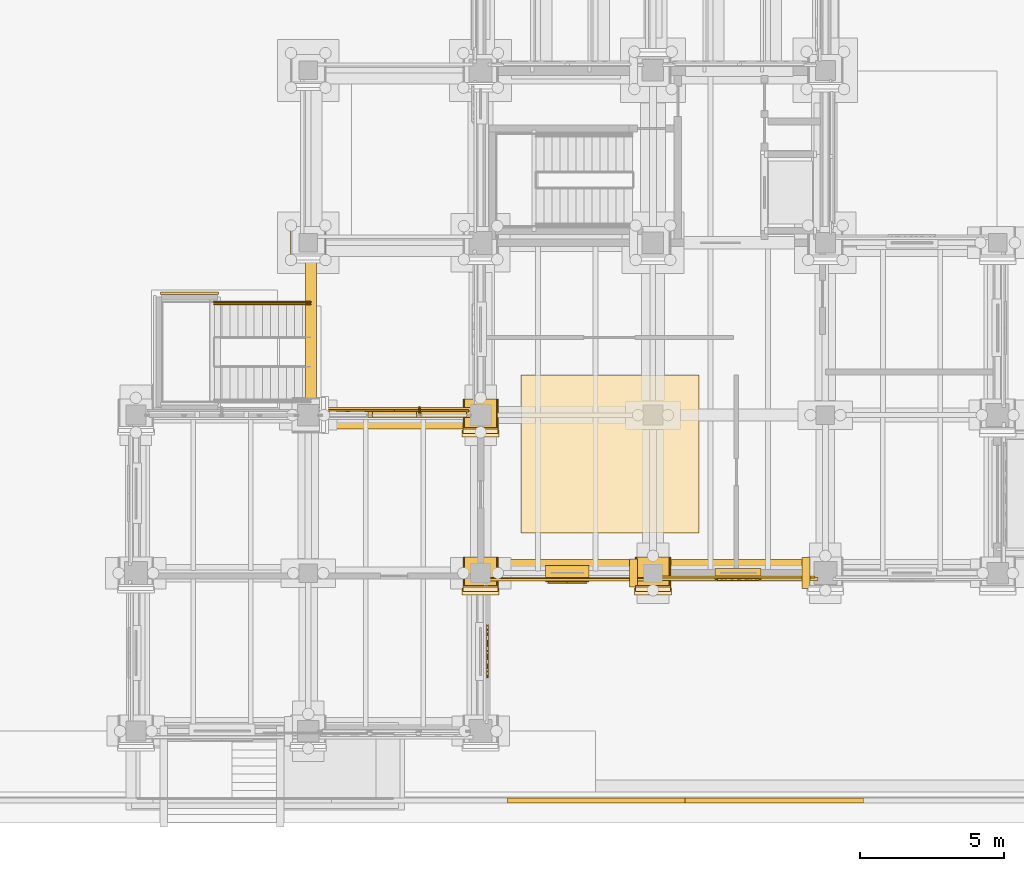
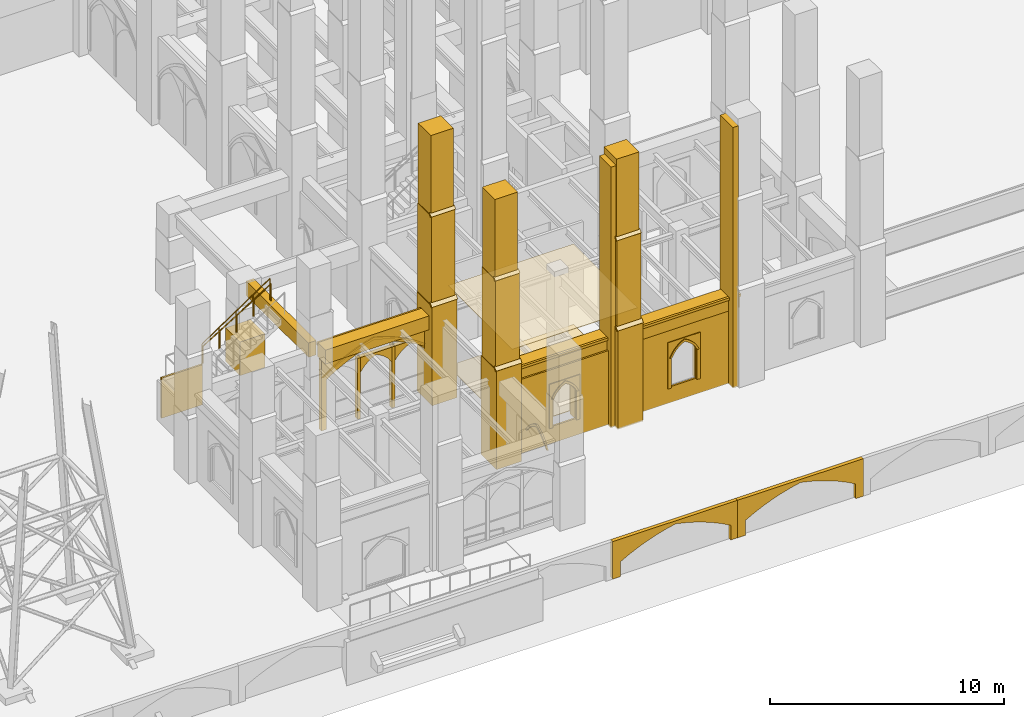
# One storey, part 105 of 135: 43 coverings, 2 railings, 1 shading device.
"""IFC4 building model written with IfcOpenShell, lengths in metres."""

from ifc_helpers import new_model, si_unit, direction, frame, origin, origin_2d, place, context, subcontext, project, spatial, polyline, rectangle, circle, outline, extrude, material, type_object, element, save


model = new_model("IFC4")

# Units and contexts
model_context = context("Model", 3, precision=1e-05, world=origin(), true_north=direction((0.0, 1.0)))
body_context = subcontext(model_context, "Body", "Model", "MODEL_VIEW")
ifc_project = project(units=[si_unit("LENGTHUNIT", "METRE"), si_unit("AREAUNIT", "SQUARE_METRE"), si_unit("VOLUMEUNIT", "CUBIC_METRE"), si_unit("PLANEANGLEUNIT", "RADIAN"), si_unit("MASSUNIT", "GRAM", prefix="KILO")], contexts=[model_context])

# Site, building, storey
site_placement = place(None, origin())
site = spatial("IfcSite", under=ifc_project, at=site_placement, CompositionType="ELEMENT")
building_placement = place(site_placement, origin())
building = spatial("IfcBuilding", under=site, at=building_placement, Name="Cumevento Cable Car Station", CompositionType="ELEMENT")
storey_placement = place(building_placement, origin())
storey = spatial("IfcBuildingStorey", under=building, at=storey_placement, Name="L01", CompositionType="ELEMENT", Elevation=0.0)

# Railings
ifc_material_1 = material(Name="Painted Galvanised Architectural Steel", Category="steel")
railing_type_1 = type_object("IfcRailingType", Name="Stair Guardrail GR-S115", PredefinedType="GUARDRAIL", material=ifc_material_1)
railing_1_placement = place(storey_placement, frame((108.719970703125, 18.93994140625, 2.25)))
element("IfcRailing", 1, at=railing_1_placement, inside=storey, type_object=railing_type_1, Name="Stair Outer Guardrail ST-15 F2", PredefinedType="GUARDRAIL", context=body_context, shape_type="SweptSolid", body=[
    extrude(circle(Radius=0.02392578125, at=origin_2d()), frame((0.0, 0.0, 1.1259765625), z_axis=(0.830915400975, 0.0, 0.556398774641), x_axis=(0.0, 1.0, 0.0)), (0.0, 0.0, 1.0), 4.0439453125),
    extrude(circle(Radius=0.02001953125, at=origin_2d()), origin(), (0.0, 0.0, 1.0), 1.101806640625),
    extrude(circle(Radius=0.02001953125, at=origin_2d()), frame((0.840087890625, 0.0, 0.5625)), (0.0, 0.0, 1.0), 1.101806640625),
    extrude(circle(Radius=0.02001953125, at=origin_2d()), frame((1.68017578125, 0.0, 1.125)), (0.0, 0.0, 1.0), 1.101806640625),
    extrude(circle(Radius=0.02001953125, at=origin_2d()), frame((2.52001953125, 0.0, 1.6875)), (0.0, 0.0, 1.0), 1.101806640625),
    extrude(circle(Radius=0.02001953125, at=origin_2d()), frame((3.360107421875, 0.0, 2.25)), (0.0, 0.0, 1.0), 1.101806640625),
])
ifc_material_2 = material(Name="Brushed Stainless Steel Handrail Tube", Category="steel")
railing_type_2 = type_object("IfcRailingType", Name="Stair Handrail HR-090", PredefinedType="HANDRAIL", material=ifc_material_2)
railing_2_placement = place(storey_placement, frame((108.719970703125, 18.860107421875, 2.42626953125)))
element("IfcRailing", 2, at=railing_2_placement, inside=storey, type_object=railing_type_2, Name="Stair Pitch Handrail ST-15 F2", PredefinedType="HANDRAIL", context=body_context, shape_type="SweptSolid", body=[
    extrude(circle(Radius=0.02099609375, at=origin_2d()), frame((0.0, 0.0, 0.87890625), z_axis=(0.850623216509, 0.0, 0.525775754039), x_axis=(0.0, 1.0, 0.0)), (0.0, 0.0, 1.0), 3.9501953125),
    extrude(circle(Radius=0.01611328125, at=origin_2d()), origin(), (0.0, 0.0, 1.0), 0.85791015625),
    extrude(circle(Radius=0.01611328125, at=origin_2d()), frame((0.840087890625, 0.0, 0.519287109375)), (0.0, 0.0, 1.0), 0.85791015625),
    extrude(circle(Radius=0.01611328125, at=origin_2d()), frame((1.68017578125, 0.0, 1.03857421875)), (0.0, 0.0, 1.0), 0.85791015625),
    extrude(circle(Radius=0.01611328125, at=origin_2d()), frame((2.52001953125, 0.0, 1.5576171875)), (0.0, 0.0, 1.0), 0.85791015625),
    extrude(circle(Radius=0.01611328125, at=origin_2d()), frame((3.360107421875, 0.0, 2.076904296875)), (0.0, 0.0, 1.0), 0.85791015625),
])

# Coverings
ifc_material_3 = material(Name="Perforated Brazilian Ipe Timber Ceiling", Category="wood")
covering_type_1 = type_object("IfcCoveringType", Name="Acoustic Timber Ceiling CV-CE01", PredefinedType="CEILING", material=ifc_material_3)
covering_1_placement = place(storey_placement, frame((0.0, 0.0, 4.199951171875)))
element("IfcCovering", 3, at=covering_1_placement, inside=storey, type_object=covering_type_1, Name="Acoustic Timber Soffit Ceiling #2", PredefinedType="CEILING", context=body_context, shape_type="SweptSolid", body=[
    extrude(outline(polyline([(119.39990234375, 10.89990234375), (125.60009765625, 10.89990234375), (125.60009765625, 16.39990234375), (119.39990234375, 16.39990234375), (119.39990234375, 10.89990234375)])), origin(), (0.0, 0.0, 1.0), 0.028076171875),
])
ifc_material_4 = material(Name="Polished Carioca Granite Terrazzo Tile", Category="masonry")
covering_type_2 = type_object("IfcCoveringType", Name="Carioca Granite Flooring CV-FL01", PredefinedType="FLOORING", material=ifc_material_4)
covering_2_placement = place(storey_placement, origin())
element("IfcCovering", 4, at=covering_2_placement, inside=storey, type_object=covering_type_2, Name="Granite Terrazzo Floor Finish #2", PredefinedType="FLOORING", context=body_context, shape_type="SweptSolid", body=[
    extrude(outline(polyline([(119.39990234375, 10.89990234375), (125.60009765625, 10.89990234375), (125.60009765625, 16.39990234375), (119.39990234375, 16.39990234375), (119.39990234375, 10.89990234375)])), origin(), (0.0, 0.0, 1.0), 0.02197265625),
])

# Shading device
ifc_material_5 = material(Name="Anodised Bronze Aluminium AW-6063-T6", Category="aluminium")
shading_device_type = type_object("IfcShadingDeviceType", Name="Bronze Lancet Brise-Soleil BS-01", PredefinedType="JALOUSIE", material=ifc_material_5)
shading_device_placement = place(storey_placement, frame((115.875, 15.179931640625, 0.41015625), z_axis=(0.0, 0.0, 1.0), x_axis=(1.0, 0.0, 0.0)))
element("IfcShadingDevice", 5, at=shading_device_placement, inside=storey, type_object=shading_device_type, Name="Bronze Lancet Solar Fin #8", PredefinedType="JALOUSIE", context=body_context, shape_type="SweptSolid", body=[
    extrude(rectangle(XDim=0.054931640625, YDim=0.239990234375, at=origin_2d()), origin(), (0.0, 0.0, 1.0), 3.410888671875),
])

# Coverings
ifc_material_6 = material(Name="Gnaisse Facoidal Stone Ashlar 85 MPa", Category="masonry")
covering_type_3 = type_object("IfcCoveringType", Name="Gnaisse Ashlar Cladding CV-CL01", PredefinedType="CLADDING", material=ifc_material_6)
covering_3_placement = place(storey_placement, frame((112.0, 20.93994140625, -0.06005859375), z_axis=(0.0, 0.0, 1.0), x_axis=(1.0, 0.0, 0.0)))
element("IfcCovering", 6, at=covering_3_placement, inside=storey, type_object=covering_type_3, Name="Stepped Gothic Stone Buttress Tier 1 bt:112.0:21.0", PredefinedType="CLADDING", context=body_context, shape_type="SweptSolid", body=[
    extrude(rectangle(XDim=1.239990234375, YDim=1.239990234375, at=origin_2d()), origin(), (0.0, 0.0, 1.0), 1.755615234375),
])
covering_4_placement = place(storey_placement, frame((118.0, 9.409912109375, -0.06005859375), z_axis=(0.0, 0.0, 1.0), x_axis=(1.0, 0.0, 0.0)))
element("IfcCovering", 7, at=covering_4_placement, inside=storey, type_object=covering_type_3, Name="Stepped Gothic Stone Buttress Tier 1 bt:118.0:9.5", PredefinedType="CLADDING", context=body_context, shape_type="SweptSolid", body=[
    extrude(rectangle(XDim=1.239990234375, YDim=1.300048828125, at=origin_2d()), origin(), (0.0, 0.0, 1.0), 5.175537109375),
])
covering_5_placement = place(storey_placement, frame((117.360107421875, 8.739990234375, 5.095703125), z_axis=(0.0, -0.711135781079, 0.703054692658), x_axis=(1.0, 0.0, 0.0)))
element("IfcCovering", 8, at=covering_5_placement, inside=storey, type_object=covering_type_3, Name="Gothic Buttress Sloped Stone Weathering 1 bt:118.0:9.5", PredefinedType="CLADDING", context=body_context, shape_type="SweptSolid", body=[
    extrude(outline(polyline([(0.0, 0.0), (1.27978515625, 0.0), (1.27978515625, 0.24169083397703695), (0.0, 0.24169083397703695), (0.0, 0.0)])), origin(), (0.0, 0.0, -1.0), 0.090087890625),
])
covering_6_placement = place(storey_placement, frame((118.0, 9.469970703125, 4.84326171875), z_axis=(0.0, 0.0, 1.0), x_axis=(1.0, 0.0, 0.0)))
element("IfcCovering", 9, at=covering_6_placement, inside=storey, type_object=covering_type_3, Name="Stepped Gothic Stone Buttress Tier 2 bt:118.0:9.5", PredefinedType="CLADDING", context=body_context, shape_type="SweptSolid", body=[
    extrude(rectangle(XDim=1.179931640625, YDim=1.179931640625, at=origin_2d()), origin(), (0.0, 0.0, 1.0), 4.9033203125),
])
covering_7_placement = place(storey_placement, frame((117.389892578125, 8.860107421875, 9.726318359375), z_axis=(0.0, -0.714474823669, 0.699661151089), x_axis=(1.0, 0.0, 0.0)))
element("IfcCovering", 10, at=covering_7_placement, inside=storey, type_object=covering_type_3, Name="Gothic Buttress Sloped Stone Weathering 2 bt:118.0:9.5", PredefinedType="CLADDING", context=body_context, shape_type="SweptSolid", body=[
    extrude(outline(polyline([(0.0, 0.0), (1.22021484375, 0.0), (1.22021484375, 0.21424991728737655), (0.0, 0.21424991728737655), (0.0, 0.0)])), origin(), (0.0, 0.0, -1.0), 0.090087890625),
])
covering_8_placement = place(storey_placement, frame((118.0, 9.52001953125, 9.47412109375), z_axis=(0.0, 0.0, 1.0), x_axis=(1.0, 0.0, 0.0)))
element("IfcCovering", 11, at=covering_8_placement, inside=storey, type_object=covering_type_3, Name="Stepped Gothic Stone Buttress Tier 3 bt:118.0:9.5", PredefinedType="CLADDING", context=body_context, shape_type="SweptSolid", body=[
    extrude(rectangle(XDim=1.1201171875, YDim=1.080078125, at=origin_2d()), origin(), (0.0, 0.0, 1.0), 4.426025390625),
])
covering_9_placement = place(storey_placement, frame((118.0, 14.909912109375, -0.06005859375), z_axis=(0.0, 0.0, 1.0), x_axis=(1.0, 0.0, 0.0)))
element("IfcCovering", 12, at=covering_9_placement, inside=storey, type_object=covering_type_3, Name="Stepped Gothic Stone Buttress Tier 1 bt:118.0:15.0", PredefinedType="CLADDING", context=body_context, shape_type="SweptSolid", body=[
    extrude(rectangle(XDim=1.239990234375, YDim=1.300048828125, at=origin_2d()), origin(), (0.0, 0.0, 1.0), 5.175537109375),
])
covering_10_placement = place(storey_placement, frame((117.360107421875, 14.239990234375, 5.095703125), z_axis=(0.0, -0.711135781079, 0.703054692658), x_axis=(1.0, 0.0, 0.0)))
element("IfcCovering", 13, at=covering_10_placement, inside=storey, type_object=covering_type_3, Name="Gothic Buttress Sloped Stone Weathering 1 bt:118.0:15.0", PredefinedType="CLADDING", context=body_context, shape_type="SweptSolid", body=[
    extrude(outline(polyline([(0.0, 0.0), (1.27978515625, 0.0), (1.27978515625, 0.24169083397703695), (0.0, 0.24169083397703695), (0.0, 0.0)])), origin(), (0.0, 0.0, -1.0), 0.090087890625),
])
covering_11_placement = place(storey_placement, frame((118.0, 14.969970703125, 4.84326171875), z_axis=(0.0, 0.0, 1.0), x_axis=(1.0, 0.0, 0.0)))
element("IfcCovering", 14, at=covering_11_placement, inside=storey, type_object=covering_type_3, Name="Stepped Gothic Stone Buttress Tier 2 bt:118.0:15.0", PredefinedType="CLADDING", context=body_context, shape_type="SweptSolid", body=[
    extrude(rectangle(XDim=1.179931640625, YDim=1.179931640625, at=origin_2d()), origin(), (0.0, 0.0, 1.0), 4.9033203125),
])
covering_12_placement = place(storey_placement, frame((117.389892578125, 14.360107421875, 9.726318359375), z_axis=(0.0, -0.714474823669, 0.699661151089), x_axis=(1.0, 0.0, 0.0)))
element("IfcCovering", 15, at=covering_12_placement, inside=storey, type_object=covering_type_3, Name="Gothic Buttress Sloped Stone Weathering 2 bt:118.0:15.0", PredefinedType="CLADDING", context=body_context, shape_type="SweptSolid", body=[
    extrude(outline(polyline([(0.0, 0.0), (1.22021484375, 0.0), (1.22021484375, 0.21424991728737655), (0.0, 0.21424991728737655), (0.0, 0.0)])), origin(), (0.0, 0.0, -1.0), 0.090087890625),
])
covering_13_placement = place(storey_placement, frame((118.0, 15.02001953125, 9.47412109375), z_axis=(0.0, 0.0, 1.0), x_axis=(1.0, 0.0, 0.0)))
element("IfcCovering", 16, at=covering_13_placement, inside=storey, type_object=covering_type_3, Name="Stepped Gothic Stone Buttress Tier 3 bt:118.0:15.0", PredefinedType="CLADDING", context=body_context, shape_type="SweptSolid", body=[
    extrude(rectangle(XDim=1.1201171875, YDim=1.080078125, at=origin_2d()), origin(), (0.0, 0.0, 1.0), 4.426025390625),
])
covering_14_placement = place(storey_placement, frame((124.0, 9.409912109375, -0.06005859375), z_axis=(0.0, 0.0, 1.0), x_axis=(1.0, 0.0, 0.0)))
element("IfcCovering", 17, at=covering_14_placement, inside=storey, type_object=covering_type_3, Name="Stepped Gothic Stone Buttress Tier 1 bt:124.0:9.5", PredefinedType="CLADDING", context=body_context, shape_type="SweptSolid", body=[
    extrude(rectangle(XDim=1.239990234375, YDim=1.300048828125, at=origin_2d()), origin(), (0.0, 0.0, 1.0), 5.175537109375),
])
covering_15_placement = place(storey_placement, frame((123.360107421875, 8.739990234375, 5.095703125), z_axis=(0.0, -0.711135781079, 0.703054692658), x_axis=(1.0, 0.0, 0.0)))
element("IfcCovering", 18, at=covering_15_placement, inside=storey, type_object=covering_type_3, Name="Gothic Buttress Sloped Stone Weathering 1 bt:124.0:9.5", PredefinedType="CLADDING", context=body_context, shape_type="SweptSolid", body=[
    extrude(outline(polyline([(0.0, 0.0), (1.27978515625, 0.0), (1.27978515625, 0.24169083397703695), (0.0, 0.24169083397703695), (0.0, 0.0)])), origin(), (0.0, 0.0, -1.0), 0.090087890625),
])
covering_16_placement = place(storey_placement, frame((124.0, 9.469970703125, 4.84326171875), z_axis=(0.0, 0.0, 1.0), x_axis=(1.0, 0.0, 0.0)))
element("IfcCovering", 19, at=covering_16_placement, inside=storey, type_object=covering_type_3, Name="Stepped Gothic Stone Buttress Tier 2 bt:124.0:9.5", PredefinedType="CLADDING", context=body_context, shape_type="SweptSolid", body=[
    extrude(rectangle(XDim=1.179931640625, YDim=1.179931640625, at=origin_2d()), origin(), (0.0, 0.0, 1.0), 4.9033203125),
])
covering_17_placement = place(storey_placement, frame((123.389892578125, 8.860107421875, 9.726318359375), z_axis=(0.0, -0.714474823669, 0.699661151089), x_axis=(1.0, 0.0, 0.0)))
element("IfcCovering", 20, at=covering_17_placement, inside=storey, type_object=covering_type_3, Name="Gothic Buttress Sloped Stone Weathering 2 bt:124.0:9.5", PredefinedType="CLADDING", context=body_context, shape_type="SweptSolid", body=[
    extrude(outline(polyline([(0.0, 0.0), (1.22021484375, 0.0), (1.22021484375, 0.21424991728737655), (0.0, 0.21424991728737655), (0.0, 0.0)])), origin(), (0.0, 0.0, -1.0), 0.090087890625),
])
covering_18_placement = place(storey_placement, frame((124.0, 9.52001953125, 9.47412109375), z_axis=(0.0, 0.0, 1.0), x_axis=(1.0, 0.0, 0.0)))
element("IfcCovering", 21, at=covering_18_placement, inside=storey, type_object=covering_type_3, Name="Stepped Gothic Stone Buttress Tier 3 bt:124.0:9.5", PredefinedType="CLADDING", context=body_context, shape_type="SweptSolid", body=[
    extrude(rectangle(XDim=1.1201171875, YDim=1.080078125, at=origin_2d()), origin(), (0.0, 0.0, 1.0), 4.426025390625),
])
covering_19_placement = place(storey_placement, frame((123.320068359375, 9.5, -0.06005859375), z_axis=(0.0, 0.0, 1.0), x_axis=(1.0, 0.0, 0.0)))
element("IfcCovering", 22, at=covering_19_placement, inside=storey, type_object=covering_type_3, Name="Corner Buttress Stone Return (124.0,9.5)", PredefinedType="CLADDING", context=body_context, shape_type="SweptSolid", body=[
    extrude(rectangle(XDim=0.280029296875, YDim=0.97998046875, at=origin_2d()), origin(), (0.0, 0.0, 1.0), 13.6201171875),
])
covering_20_placement = place(storey_placement, frame((129.320068359375, 9.5, -0.06005859375), z_axis=(0.0, 0.0, 1.0), x_axis=(1.0, 0.0, 0.0)))
element("IfcCovering", 23, at=covering_20_placement, inside=storey, type_object=covering_type_3, Name="Corner Buttress Stone Return (130.0,9.5)", PredefinedType="CLADDING", context=body_context, shape_type="SweptSolid", body=[
    extrude(rectangle(XDim=0.280029296875, YDim=1.080078125, at=origin_2d()), origin(), (0.0, 0.0, 1.0), 13.6201171875),
])
covering_21_placement = place(storey_placement, frame((115.0, 14.85009765625, 3.76123046875), z_axis=(0.0, 0.0, 1.0), x_axis=(1.0, 0.0, 0.0)))
element("IfcCovering", 24, at=covering_21_placement, inside=storey, type_object=covering_type_3, Name="Gothic Stone Spandrel Stringcourse sc:0026", PredefinedType="CLADDING", context=body_context, shape_type="SweptSolid", body=[
    extrude(rectangle(XDim=5.489990234375, YDim=0.659912109375, at=origin_2d()), origin(), (0.0, 0.0, 1.0), 0.718994140625),
])
covering_22_placement = place(storey_placement, frame((115.0, 15.20751953125, 4.35009765625), z_axis=(0.0, 0.0, 1.0), x_axis=(1.0, 0.0, 0.0)))
element("IfcCovering", 25, at=covering_22_placement, inside=storey, type_object=covering_type_3, Name="Gothic Cornice Dripstone Lip sc:0026", PredefinedType="CLADDING", context=body_context, shape_type="SweptSolid", body=[
    extrude(rectangle(XDim=5.530029296875, YDim=0.114990234375, at=origin_2d()), origin(), (0.0, 0.0, 1.0), 0.1298828125),
])
covering_23_placement = place(storey_placement, frame((121.012451171875, 9.64990234375, 3.760986328125), z_axis=(0.0, 0.0, 1.0), x_axis=(-1.0, 0.0, 0.0)))
element("IfcCovering", 26, at=covering_23_placement, inside=storey, type_object=covering_type_3, Name="Gothic Stone Spandrel Stringcourse sc:0174", PredefinedType="CLADDING", context=body_context, shape_type="SweptSolid", body=[
    extrude(rectangle(XDim=5.56494140625, YDim=0.659912109375, at=origin_2d()), origin(), (0.0, 0.0, 1.0), 0.7470703125),
])
covering_24_placement = place(storey_placement, frame((121.012451171875, 9.29248046875, 4.378173828125), z_axis=(0.0, 0.0, 1.0), x_axis=(-1.0, 0.0, 0.0)))
element("IfcCovering", 27, at=covering_24_placement, inside=storey, type_object=covering_type_3, Name="Gothic Cornice Dripstone Lip sc:0174", PredefinedType="CLADDING", context=body_context, shape_type="SweptSolid", body=[
    extrude(rectangle(XDim=5.60498046875, YDim=0.114990234375, at=origin_2d()), origin(), (0.0, 0.0, 1.0), 0.1298828125),
])
covering_25_placement = place(storey_placement, frame((126.96240234375, 9.64990234375, 3.760986328125), z_axis=(0.0, 0.0, 1.0), x_axis=(-1.0, 0.0, 0.0)))
element("IfcCovering", 28, at=covering_25_placement, inside=storey, type_object=covering_type_3, Name="Gothic Stone Spandrel Stringcourse sc:0175", PredefinedType="CLADDING", context=body_context, shape_type="SweptSolid", body=[
    extrude(rectangle(XDim=5.514892578125, YDim=0.659912109375, at=origin_2d()), origin(), (0.0, 0.0, 1.0), 0.7470703125),
])
covering_26_placement = place(storey_placement, frame((126.96240234375, 9.29248046875, 4.378173828125), z_axis=(0.0, 0.0, 1.0), x_axis=(-1.0, 0.0, 0.0)))
element("IfcCovering", 29, at=covering_26_placement, inside=storey, type_object=covering_type_3, Name="Gothic Cornice Dripstone Lip sc:0175", PredefinedType="CLADDING", context=body_context, shape_type="SweptSolid", body=[
    extrude(rectangle(XDim=5.554931640625, YDim=0.114990234375, at=origin_2d()), origin(), (0.0, 0.0, 1.0), 0.1298828125),
])
covering_27_placement = place(storey_placement, frame((112.090087890625, 18.02490234375, 3.73291015625), z_axis=(0.0, 0.0, 1.0), x_axis=(0.0, 1.0, 0.0)))
element("IfcCovering", 30, at=covering_27_placement, inside=storey, type_object=covering_type_3, Name="Gothic Stone Spandrel Stringcourse sc:0838", PredefinedType="CLADDING", context=body_context, shape_type="SweptSolid", body=[
    extrude(rectangle(XDim=5.360107421875, YDim=0.3798828125, at=origin_2d()), origin(), (0.0, 0.0, 1.0), 0.7470703125),
])
placement = place(storey_placement, frame((112.375, 15.0, 0.0), z_axis=(0.0, 0.0, 1.0), x_axis=(1.0, 0.0, 0.0)))
element("IfcCovering", 31, at=placement, inside=storey, type_object=covering_type_3, Name="Gothic Ogival Pointed-Arch Stone Spandrel cw_ogival:0013", PredefinedType="CLADDING", context=body_context, shape_type="SweptSolid", body=[
    extrude(outline(polyline([(-0.080078125, 0.0), (-0.080078125, 3.90087890625), (5.330078125, 3.90087890625), (5.330078125, 0.0), (5.090087890625, 0.0), (5.090087890625, 2.593017578125), (4.80810546875, 2.78271484375), (4.51708984375, 2.958740234375), (4.218017578125, 3.120361328125), (3.911376953125, 3.26708984375), (3.59814453125, 3.39892578125), (3.27880859375, 3.515380859375), (2.9541015625, 3.6162109375), (2.625, 3.700927734375), (2.2958984375, 3.6162109375), (1.97119140625, 3.515380859375), (1.65185546875, 3.39892578125), (1.338623046875, 3.26708984375), (1.031982421875, 3.120361328125), (0.73291015625, 2.958740234375), (0.44189453125, 2.78271484375), (0.159912109375, 2.593017578125), (0.159912109375, 0.0), (-0.080078125, 0.0)])), frame((0.0, 0.139892578125, 0.0), z_axis=(0.0, -1.0, 0.0), x_axis=(1.0, 0.0, 0.0)), (0.0, 0.0, 1.0), 0.219970703125),
])
covering_29_placement = place(storey_placement, frame((112.375, 15.0, 2.593017578125), z_axis=(0.0, 0.0, 1.0), x_axis=(1.0, 0.0, 0.0)))
element("IfcCovering", 32, at=covering_29_placement, inside=storey, type_object=covering_type_3, Name="Gothic Pointed Archivolt Hood Moulding cw_ogival:0013", PredefinedType="CLADDING", context=body_context, shape_type="SweptSolid", body=[
    extrude(outline(polyline([(0.159912109375, 0.0), (0.44189453125, 0.189697265625), (0.73291015625, 0.36572265625), (1.031982421875, 0.52734375), (1.338623046875, 0.674072265625), (1.65185546875, 0.805908203125), (1.97119140625, 0.92236328125), (2.2958984375, 1.023193359375), (2.625, 1.10791015625), (2.9541015625, 1.023193359375), (3.27880859375, 0.92236328125), (3.59814453125, 0.805908203125), (3.911376953125, 0.674072265625), (4.218017578125, 0.52734375), (4.51708984375, 0.36572265625), (4.80810546875, 0.189697265625), (5.090087890625, 0.0), (5.199951171875, 0.0), (4.909423828125, 0.212646484375), (4.608154296875, 0.409912109375), (4.29736328125, 0.591552734375), (3.977294921875, 0.756591796875), (3.649169921875, 0.905029296875), (3.313720703125, 1.0361328125), (2.97216796875, 1.149658203125), (2.625, 1.24560546875), (2.27783203125, 1.149658203125), (1.936279296875, 1.0361328125), (1.600830078125, 0.905029296875), (1.272705078125, 0.756591796875), (0.95263671875, 0.591552734375), (0.641845703125, 0.409912109375), (0.340576171875, 0.212646484375), (0.050048828125, 0.0), (0.159912109375, 0.0)])), frame((0.0, 0.181884765625, 0.0), z_axis=(0.0, -1.0, 0.0), x_axis=(1.0, 0.0, 0.0)), (0.0, 0.0, 1.0), 0.06689453125),
])
element("IfcCovering", 33, at=placement, inside=storey, type_object=covering_type_3, Name="Gothic Bifora Stone Colonnette cw_ogival:0013 #1", PredefinedType="CLADDING", context=body_context, shape_type="SweptSolid", body=[
    extrude(outline(polyline([(1.703369140625, -0.02001953125), (1.853271484375, -0.02001953125), (1.853271484375, 3.169189453125), (1.703369140625, 3.169189453125), (1.703369140625, -0.02001953125)])), frame((0.0, 0.1279296875, 0.0), z_axis=(0.0, -1.0, 0.0), x_axis=(1.0, 0.0, 0.0)), (0.0, 0.0, 1.0), 0.205078125),
])
element("IfcCovering", 34, at=placement, inside=storey, type_object=covering_type_3, Name="Gothic Bifora Stone Colonnette cw_ogival:0013 #2", PredefinedType="CLADDING", context=body_context, shape_type="SweptSolid", body=[
    extrude(outline(polyline([(3.396728515625, -0.02001953125), (3.546630859375, -0.02001953125), (3.546630859375, 3.169189453125), (3.396728515625, 3.169189453125), (3.396728515625, -0.02001953125)])), frame((0.0, 0.1279296875, 0.0), z_axis=(0.0, -1.0, 0.0), x_axis=(1.0, 0.0, 0.0)), (0.0, 0.0, 1.0), 0.205078125),
])
for number, where, z_axis, x_axis, name in (
    (35, (114.1982421875, 15.0, 2.4130859375), (0.0, 0.0, 1.0), (1.0, 0.0, 0.0), "Gothic Ogival Pointed-Arch Stone Spandrel cw_ogival:0013:sub:1"),
    (36, (115.8916015625, 15.0, 2.4130859375), (0.0, 0.0, 1.0), (1.0, 0.0, 0.0), "Gothic Ogival Pointed-Arch Stone Spandrel cw_ogival:0013:sub:2"),
):
    element("IfcCovering", number, at=place(storey_placement, frame(where, z_axis=z_axis, x_axis=x_axis)), inside=storey, type_object=covering_type_3, Name=name, PredefinedType="CLADDING", context=body_context, shape_type="SweptSolid", body=[
        extrude(outline(polyline([(-0.02001953125, 0.0), (-0.02001953125, 0.756103515625), (1.623291015625, 0.756103515625), (1.623291015625, 0.0), (1.563232421875, 0.0), (1.46728515625, 0.137939453125), (1.35693359375, 0.26513671875), (1.23388671875, 0.379638671875), (1.09912109375, 0.48046875), (0.95458984375, 0.566162109375), (0.8017578125, 0.63623046875), (0.648681640625, 0.566162109375), (0.504150390625, 0.48046875), (0.369384765625, 0.379638671875), (0.246337890625, 0.26513671875), (0.135986328125, 0.137939453125), (0.0400390625, 0.0), (-0.02001953125, 0.0)])), frame((0.0, 0.1240234375, 0.0), z_axis=(0.0, -1.0, 0.0), x_axis=(1.0, 0.0, 0.0)), (0.0, 0.0, 1.0), 0.199951171875),
    ])
covering_32_placement = place(storey_placement, frame((118.0, 7.739990234375, 2.406005859375), z_axis=(0.0, 0.0, 1.0), x_axis=(0.0, -1.0, 0.0)))
element("IfcCovering", 37, at=covering_32_placement, inside=storey, type_object=covering_type_3, Name="Gothic Pointed Archivolt Hood Moulding op_ogival:0124:1", PredefinedType="CLADDING", context=body_context, shape_type="SweptSolid", body=[
    extrude(outline(polyline([(0.139892578125, 0.0), (0.228515625, 0.1279296875), (0.328369140625, 0.247314453125), (0.438720703125, 0.357177734375), (0.55859375, 0.45654296875), (0.68701171875, 0.544677734375), (0.82275390625, 0.62060546875), (0.965087890625, 0.68408203125), (1.107177734375, 0.62060546875), (1.242919921875, 0.544677734375), (1.371337890625, 0.45654296875), (1.4912109375, 0.357177734375), (1.6015625, 0.247314453125), (1.701416015625, 0.1279296875), (1.7900390625, 0.0), (1.888916015625, 0.0), (1.792724609375, 0.150390625), (1.682861328125, 0.291015625), (1.56005859375, 0.420654296875), (1.42578125, 0.5380859375), (1.28076171875, 0.642333984375), (1.126708984375, 0.732421875), (0.965087890625, 0.807861328125), (0.80322265625, 0.732421875), (0.649169921875, 0.642333984375), (0.504150390625, 0.5380859375), (0.369873046875, 0.420654296875), (0.2470703125, 0.291015625), (0.13720703125, 0.150390625), (0.041015625, 0.0), (0.139892578125, 0.0)])), frame((0.0, 0.2724609375, 0.0), z_axis=(0.0, -1.0, 0.0), x_axis=(1.0, 0.0, 0.0)), (0.0, 0.0, 1.0), 0.06689453125),
])
covering_33_placement = place(storey_placement, frame((123.675048828125, 9.5, 0.0), z_axis=(0.0, 0.0, 1.0), x_axis=(-1.0, 0.0, 0.0)))
element("IfcCovering", 38, at=covering_33_placement, inside=storey, type_object=covering_type_3, Name="Exterior Gnaisse Stone Wall Ashlar #156", PredefinedType="CLADDING", context=body_context, shape_type="SweptSolid", body=[
    extrude(outline(polyline([(-0.0400390625, -0.02001953125), (5.364990234375, -0.02001953125), (5.364990234375, 3.841064453125), (-0.0400390625, 3.841064453125), (-0.0400390625, -0.02001953125)]), holes=[polyline([(2.097412109375, 0.860107421875), (3.2275390625, 0.860107421875), (3.2275390625, 2.889892578125), (2.097412109375, 2.889892578125), (2.097412109375, 0.860107421875)])]), frame((0.0, 0.27001953125, 0.0), z_axis=(0.0, -1.0, 0.0), x_axis=(1.0, 0.0, 0.0)), (0.0, 0.0, 1.0), 0.0849609375),
])
covering_34_placement = place(storey_placement, frame((121.7275390625, 9.5, 0.800048828125), z_axis=(0.0, 0.0, 1.0), x_axis=(-1.0, 0.0, 0.0)))
element("IfcCovering", 39, at=covering_34_placement, inside=storey, type_object=covering_type_3, Name="Gothic Ogival Pointed-Arch Stone Spandrel op_ogival:0156:1", PredefinedType="CLADDING", context=body_context, shape_type="SweptSolid", body=[
    extrude(outline(polyline([(-0.0400390625, 0.0), (-0.0400390625, 2.320068359375), (1.469970703125, 2.320068359375), (1.469970703125, 0.0), (1.2900390625, 0.0), (1.2900390625, 1.52587890625), (1.23876953125, 1.6376953125), (1.17578125, 1.743408203125), (1.101806640625, 1.841796875), (1.017578125, 1.931396484375), (0.92431640625, 2.01171875), (0.8232421875, 2.081298828125), (0.715087890625, 2.139892578125), (0.606689453125, 2.081298828125), (0.505615234375, 2.01171875), (0.412353515625, 1.931396484375), (0.328125, 1.841796875), (0.254150390625, 1.743408203125), (0.191162109375, 1.6376953125), (0.139892578125, 1.52587890625), (0.139892578125, 0.0), (-0.0400390625, 0.0)])), frame((0.0, 0.30810546875, 0.0), z_axis=(0.0, -1.0, 0.0), x_axis=(1.0, 0.0, 0.0)), (0.0, 0.0, 1.0), 0.570068359375),
])
covering_35_placement = place(storey_placement, frame((121.7275390625, 9.5, 2.325927734375), z_axis=(0.0, 0.0, 1.0), x_axis=(-1.0, 0.0, 0.0)))
element("IfcCovering", 40, at=covering_35_placement, inside=storey, type_object=covering_type_3, Name="Gothic Pointed Archivolt Hood Moulding op_ogival:0156:1", PredefinedType="CLADDING", context=body_context, shape_type="SweptSolid", body=[
    extrude(outline(polyline([(0.139892578125, 0.0), (0.191162109375, 0.11181640625), (0.254150390625, 0.217529296875), (0.328125, 0.315673828125), (0.412353515625, 0.405517578125), (0.505615234375, 0.48583984375), (0.606689453125, 0.555419921875), (0.715087890625, 0.614013671875), (0.8232421875, 0.555419921875), (0.92431640625, 0.48583984375), (1.017578125, 0.405517578125), (1.101806640625, 0.315673828125), (1.17578125, 0.217529296875), (1.23876953125, 0.11181640625), (1.2900390625, 0.0), (1.388916015625, 0.0), (1.330322265625, 0.134033203125), (1.25732421875, 0.2607421875), (1.171142578125, 0.378662109375), (1.072509765625, 0.486572265625), (0.962646484375, 0.583251953125), (0.843017578125, 0.667236328125), (0.715087890625, 0.73779296875), (0.5869140625, 0.667236328125), (0.46728515625, 0.583251953125), (0.357421875, 0.486572265625), (0.2587890625, 0.378662109375), (0.172607421875, 0.2607421875), (0.099609375, 0.134033203125), (0.041015625, 0.0), (0.139892578125, 0.0)])), frame((0.0, 0.35009765625, 0.0), z_axis=(0.0, -1.0, 0.0), x_axis=(1.0, 0.0, 0.0)), (0.0, 0.0, 1.0), 0.06689453125),
])
covering_36_placement = place(storey_placement, frame((129.60009765625, 9.5, 0.0), z_axis=(0.0, 0.0, 1.0), x_axis=(-1.0, 0.0, 0.0)))
element("IfcCovering", 41, at=covering_36_placement, inside=storey, type_object=covering_type_3, Name="Exterior Gnaisse Stone Wall Ashlar #157", PredefinedType="CLADDING", context=body_context, shape_type="SweptSolid", body=[
    extrude(outline(polyline([(-0.0400390625, -0.02001953125), (5.31494140625, -0.02001953125), (5.31494140625, 3.841064453125), (-0.0400390625, 3.841064453125), (-0.0400390625, -0.02001953125)]), holes=[polyline([(2.0224609375, 0.81005859375), (3.25244140625, 0.81005859375), (3.25244140625, 2.93994140625), (2.0224609375, 2.93994140625), (2.0224609375, 0.81005859375)])]), frame((0.0, 0.177490234375, 0.0), z_axis=(0.0, -1.0, 0.0), x_axis=(1.0, 0.0, 0.0)), (0.0, 0.0, 1.0), 0.0849609375),
])
covering_37_placement = place(storey_placement, frame((127.7275390625, 9.5, 0.75), z_axis=(0.0, 0.0, 1.0), x_axis=(-1.0, 0.0, 0.0)))
element("IfcCovering", 42, at=covering_37_placement, inside=storey, type_object=covering_type_3, Name="Gothic Ogival Pointed-Arch Stone Spandrel op_ogival:0157:1", PredefinedType="CLADDING", context=body_context, shape_type="SweptSolid", body=[
    extrude(outline(polyline([(-0.0400390625, 0.0), (-0.0400390625, 2.419921875), (1.570068359375, 2.419921875), (1.570068359375, 0.0), (1.389892578125, 0.0), (1.389892578125, 1.597900390625), (1.332275390625, 1.71533203125), (1.262451171875, 1.826416015625), (1.181640625, 1.92919921875), (1.09033203125, 2.022705078125), (0.98974609375, 2.1064453125), (0.880859375, 2.17919921875), (0.764892578125, 2.239990234375), (0.649169921875, 2.17919921875), (0.540283203125, 2.1064453125), (0.439697265625, 2.022705078125), (0.348388671875, 1.92919921875), (0.267578125, 1.826416015625), (0.19775390625, 1.71533203125), (0.139892578125, 1.597900390625), (0.139892578125, 0.0), (-0.0400390625, 0.0)])), frame((0.0, 0.215576171875, 0.0), z_axis=(0.0, -1.0, 0.0), x_axis=(1.0, 0.0, 0.0)), (0.0, 0.0, 1.0), 0.385009765625),
])
covering_38_placement = place(storey_placement, frame((127.7275390625, 9.5, 2.347900390625), z_axis=(0.0, 0.0, 1.0), x_axis=(-1.0, 0.0, 0.0)))
element("IfcCovering", 43, at=covering_38_placement, inside=storey, type_object=covering_type_3, Name="Gothic Pointed Archivolt Hood Moulding op_ogival:0157:1", PredefinedType="CLADDING", context=body_context, shape_type="SweptSolid", body=[
    extrude(outline(polyline([(0.139892578125, 0.0), (0.19775390625, 0.117431640625), (0.267578125, 0.228271484375), (0.348388671875, 0.3310546875), (0.439697265625, 0.4248046875), (0.540283203125, 0.508544921875), (0.649169921875, 0.5810546875), (0.764892578125, 0.64208984375), (0.880859375, 0.5810546875), (0.98974609375, 0.508544921875), (1.09033203125, 0.4248046875), (1.181640625, 0.3310546875), (1.262451171875, 0.228271484375), (1.332275390625, 0.117431640625), (1.389892578125, 0.0), (1.489013671875, 0.0), (1.423828125, 0.1396484375), (1.34423828125, 0.271484375), (1.2509765625, 0.39404296875), (1.14501953125, 0.505859375), (1.02783203125, 0.60595703125), (0.900634765625, 0.69287109375), (0.764892578125, 0.765869140625), (0.62939453125, 0.69287109375), (0.502197265625, 0.60595703125), (0.385009765625, 0.505859375), (0.279052734375, 0.39404296875), (0.185791015625, 0.271484375), (0.106201171875, 0.1396484375), (0.041015625, 0.0), (0.139892578125, 0.0)])), frame((0.0, 0.257568359375, 0.0), z_axis=(0.0, -1.0, 0.0), x_axis=(1.0, 0.0, 0.0)), (0.0, 0.0, 1.0), 0.06689453125),
])
covering_39_placement = place(storey_placement, frame((106.89990234375, 19.1201171875, 0.0), z_axis=(0.0, 0.0, 1.0), x_axis=(1.0, 0.0, 0.0)))
element("IfcCovering", 44, at=covering_39_placement, inside=storey, type_object=covering_type_3, Name="Exterior Gnaisse Stone Wall Ashlar #315", PredefinedType="CLADDING", context=body_context, shape_type="SweptSolid", body=[
    extrude(outline(polyline([(-0.0400390625, -0.02001953125), (1.97998046875, -0.02001953125), (1.97998046875, 2.0791015625), (-0.0400390625, 2.0791015625), (-0.0400390625, -0.02001953125)])), frame((0.0, 0.159912109375, 0.0), z_axis=(0.0, -1.0, 0.0), x_axis=(1.0, 0.0, 0.0)), (0.0, 0.0, 1.0), 0.0849609375),
])
for number, where, z_axis, x_axis, name in (
    (45, (125.131591796875, 1.64990234375, -1.919921875), (0.0, 0.0, 1.0), (-1.0, 0.0, 0.0), "Gothic Ogival Pointed-Arch Stone Spandrel cumevento_plinth:plinth_arch:S:19"),
    (46, (131.3056640625, 1.64990234375, -1.919921875), (0.0, 0.0, 1.0), (-1.0, 0.0, 0.0), "Gothic Ogival Pointed-Arch Stone Spandrel cumevento_plinth:plinth_arch:S:20"),
):
    element("IfcCovering", number, at=place(storey_placement, frame(where, z_axis=z_axis, x_axis=x_axis)), inside=storey, type_object=covering_type_3, Name=name, PredefinedType="CLADDING", context=body_context, shape_type="SweptSolid", body=[
        extrude(outline(polyline([(-0.02001953125, 0.0), (-0.02001953125, 1.9599609375), (6.194091796875, 1.9599609375), (6.194091796875, 0.0), (5.81396484375, 0.0), (5.81396484375, 0.77001953125), (5.3857421875, 1.00390625), (4.945068359375, 1.213623046875), (4.493408203125, 1.3984375), (4.0322265625, 1.558349609375), (3.56298828125, 1.692138671875), (3.087158203125, 1.800048828125), (2.611083984375, 1.692138671875), (2.141845703125, 1.558349609375), (1.6806640625, 1.3984375), (1.22900390625, 1.213623046875), (0.788330078125, 1.00390625), (0.360107421875, 0.77001953125), (0.360107421875, 0.0), (-0.02001953125, 0.0)])), frame((0.0, 0.14990234375, 0.0), z_axis=(0.0, -1.0, 0.0), x_axis=(1.0, 0.0, 0.0)), (0.0, 0.0, 1.0), 0.179931640625),
    ])

save(model, "model.ifc")
